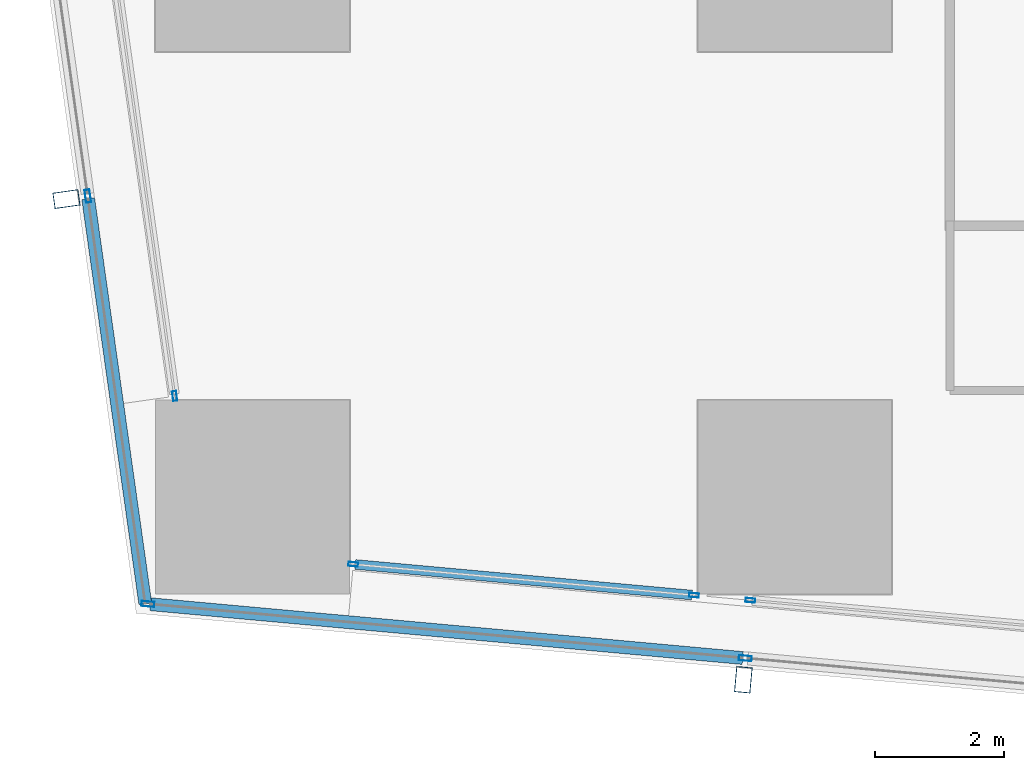
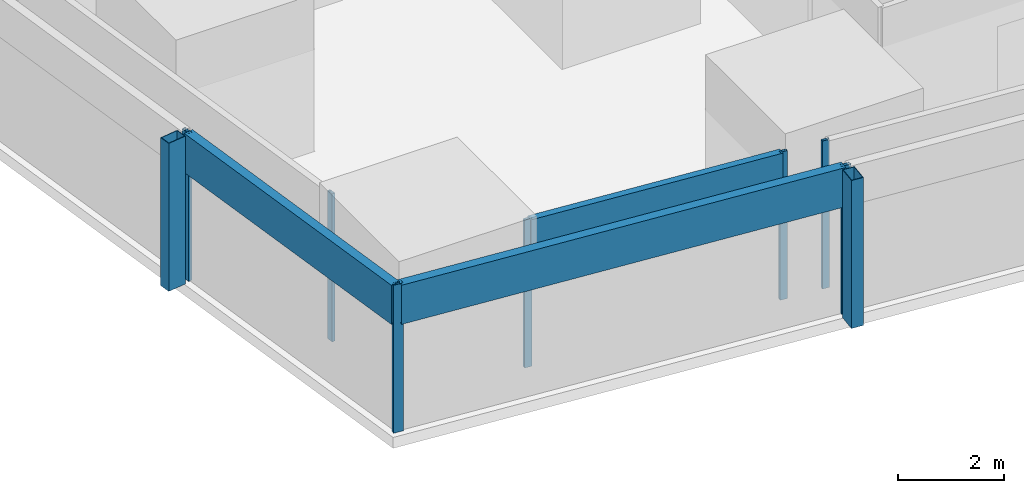
# One storey, part 2 of 38: 12 members, 5 elements without a shape of their own.
"""IFC4 building model written with IfcOpenShell, lengths in metres."""

from ifc_helpers import new_model, si_unit, direction, frame, origin, origin_2d, place, context, subcontext, project, spatial, hollow_rectangle, extrude, material, material_profile, profile_set, type_object, element, aggregate, save


model = new_model("IFC4")

# Units and contexts
model_context = context("Model", 3, precision=1e-05, world=origin(), true_north=direction((0.0, 1.0)))
body_context = subcontext(model_context, "Body", "Model", "MODEL_VIEW")
ifc_project = project(units=[si_unit("LENGTHUNIT", "METRE"), si_unit("AREAUNIT", "SQUARE_METRE"), si_unit("VOLUMEUNIT", "CUBIC_METRE"), si_unit("PLANEANGLEUNIT", "RADIAN"), si_unit("MASSUNIT", "GRAM", prefix="KILO")], contexts=[model_context])

# Site, building, storey
site_placement = place(None, origin())
site = spatial("IfcSite", under=ifc_project, at=site_placement, CompositionType="ELEMENT")
building_placement = place(site_placement, origin())
building = spatial("IfcBuilding", under=site, at=building_placement, Name="Rekha Terrace Tower", CompositionType="ELEMENT")
storey_placement = place(building_placement, frame((0.0, 0.0, 159.050048828125)))
storey = spatial("IfcBuildingStorey", under=building, at=storey_placement, Name="L40", CompositionType="ELEMENT", Elevation=159.050048828125)

# Curtain wall, member
ifc_material_1 = material(Name="Aluminium framing", Category="aluminium")
curtain_wall_type_1 = type_object("IfcCurtainWallType", Name="CW2 double skin outer glazing", PredefinedType="USERDEFINED", material=ifc_material_1)
curtain_wall_1_placement = place(storey_placement, origin())
curtain_wall_1 = element("IfcCurtainWall", 1, at=curtain_wall_1_placement, inside=storey, type_object=curtain_wall_type_1, Name="CW2 double skin outer glazing", ObjectType="DOUBLE SKIN OUTER GLAZING", PredefinedType="USERDEFINED")
ifc_material_2 = material(Name="Steel S355 with fluorocarbon finish", Category="steel")
ifc_material_profile_1 = material_profile(ifc_material_2, hollow_rectangle(XDim=0.25, YDim=0.39990234375, WallThickness=0.012451171875, at=origin_2d()), Name="RHS400x250x12.5")
ifc_profile_set_1 = profile_set([ifc_material_profile_1], Name="Steel S355 with fluorocarbon finish")
member_type_1 = type_object("IfcMemberType", Name="BL1 facade blade RHS 400 x 250", PredefinedType="USERDEFINED", material=ifc_profile_set_1)
member_1_placement = place(storey_placement, frame((16.002197265625, 13.970458984375, 0.0), z_axis=(0.0, 0.0, 1.0), x_axis=(0.995901938317, -0.090439644273, 0.0)))
member_1 = element("IfcMember", 2, at=member_1_placement, type_object=member_type_1, Name="Facade blade", ObjectType="FACADE BLADE", PredefinedType="USERDEFINED", context=body_context, shape_type="SweptSolid", body=[
    extrude(hollow_rectangle(XDim=0.25, YDim=0.39990234375, WallThickness=0.012451171875, at=origin_2d()), origin(), (0.0, 0.0, 1.0), 3.39990234375),
])

curtain_wall_2_placement = place(storey_placement, origin())
curtain_wall_2 = element("IfcCurtainWall", 3, at=curtain_wall_2_placement, inside=storey, type_object=curtain_wall_type_1, Name="CW2 double skin outer glazing", ObjectType="DOUBLE SKIN OUTER GLAZING", PredefinedType="USERDEFINED")
member_2_placement = place(storey_placement, frame((5.51904296875, 21.41455078125, 0.0), z_axis=(0.0, 0.0, 1.0), x_axis=(0.139596532461, -0.990208467003, 0.0)))
member_2 = element("IfcMember", 4, at=member_2_placement, type_object=member_type_1, Name="Facade blade", ObjectType="FACADE BLADE", PredefinedType="USERDEFINED", context=body_context, shape_type="SweptSolid", body=[
    extrude(hollow_rectangle(XDim=0.25, YDim=0.39990234375, WallThickness=0.012451171875, at=origin_2d()), origin(), (0.0, 0.0, 1.0), 3.39990234375),
])

# Curtain wall, members
curtain_wall_type_2 = type_object("IfcCurtainWallType", Name="CW1 double skin inner glazing", PredefinedType="USERDEFINED", material=ifc_material_1)
curtain_wall_3_placement = place(storey_placement, origin())
curtain_wall_3 = element("IfcCurtainWall", 5, at=curtain_wall_3_placement, inside=storey, type_object=curtain_wall_type_2, Name="CW1 double skin inner glazing", ObjectType="DOUBLE SKIN INNER GLAZING", PredefinedType="USERDEFINED")
ifc_material_3 = material(Name="Aluminium mullion section", Category="aluminium")
ifc_material_profile_2 = material_profile(ifc_material_3, hollow_rectangle(XDim=0.06494140625, YDim=0.14990234375, WallThickness=0.00390625, at=origin_2d()), Name="AL RHS 65x150")
ifc_profile_set_2 = profile_set([ifc_material_profile_2], Name="Aluminium mullion section")
member_type_2 = type_object("IfcMemberType", Name="CW1 mullion RHS 65 x 150", PredefinedType="MULLION", material=ifc_profile_set_2)
member_3_placement = place(storey_placement, frame((9.9609375, 15.759033203125, 0.0), z_axis=(0.0, 0.0, 1.0), x_axis=(0.090439811468, 0.995901923134, 0.0)))
member_3 = element("IfcMember", 6, at=member_3_placement, type_object=member_type_2, Name="CW1 mullion 1", PredefinedType="MULLION", context=body_context, shape_type="SweptSolid", body=[
    extrude(hollow_rectangle(XDim=0.06494140625, YDim=0.14990234375, WallThickness=0.00390625, at=origin_2d()), origin(), (0.0, 0.0, 1.0), 3.39990234375),
])
member_4_placement = place(storey_placement, frame((15.239013671875, 15.27978515625, 0.0), z_axis=(0.0, 0.0, 1.0), x_axis=(0.090439811468, 0.995901923134, 0.0)))
member_4 = element("IfcMember", 7, at=member_4_placement, type_object=member_type_2, Name="CW1 mullion 2", PredefinedType="MULLION", context=body_context, shape_type="SweptSolid", body=[
    extrude(hollow_rectangle(XDim=0.06494140625, YDim=0.14990234375, WallThickness=0.00390625, at=origin_2d()), origin(), (0.0, 0.0, 1.0), 3.39990234375),
])

# Curtain wall, member
curtain_wall_4_placement = place(storey_placement, origin())
curtain_wall_4 = element("IfcCurtainWall", 8, at=curtain_wall_4_placement, inside=storey, type_object=curtain_wall_type_2, Name="CW1 double skin inner glazing", ObjectType="DOUBLE SKIN INNER GLAZING", PredefinedType="USERDEFINED")
member_5_placement = place(storey_placement, frame((16.111083984375, 15.20068359375, 0.0), z_axis=(0.0, 0.0, 1.0), x_axis=(0.090439811364, 0.995901923143, 0.0)))
member_5 = element("IfcMember", 9, at=member_5_placement, type_object=member_type_2, Name="CW1 mullion 1", PredefinedType="MULLION", context=body_context, shape_type="SweptSolid", body=[
    extrude(hollow_rectangle(XDim=0.06494140625, YDim=0.14990234375, WallThickness=0.00390625, at=origin_2d()), origin(), (0.0, 0.0, 1.0), 3.39990234375),
])
aggregate(curtain_wall_4, [member_5])

curtain_wall_5_placement = place(storey_placement, origin())
curtain_wall_5 = element("IfcCurtainWall", 10, at=curtain_wall_5_placement, inside=storey, type_object=curtain_wall_type_2, Name="CW1 double skin inner glazing", ObjectType="DOUBLE SKIN INNER GLAZING", PredefinedType="USERDEFINED")
member_6_placement = place(storey_placement, frame((7.196044921875, 18.365234375, 0.0), z_axis=(0.0, 0.0, 1.0), x_axis=(0.990208394317, 0.139597048047, 0.0)))
member_6 = element("IfcMember", 11, at=member_6_placement, type_object=member_type_2, Name="CW1 mullion 2", PredefinedType="MULLION", context=body_context, shape_type="SweptSolid", body=[
    extrude(hollow_rectangle(XDim=0.06494140625, YDim=0.14990234375, WallThickness=0.00390625, at=origin_2d()), origin(), (0.0, 0.0, 1.0), 3.39990234375),
])
aggregate(curtain_wall_5, [member_6])

# Member
ifc_material_4 = material(Name="Insulated aluminium spandrel box", Category="aluminium")
ifc_material_profile_3 = material_profile(ifc_material_4, hollow_rectangle(XDim=0.14990234375, YDim=0.89990234375, WallThickness=0.0029296875, at=origin_2d()), Name="AL SPANDREL BOX 150x900")
ifc_profile_set_3 = profile_set([ifc_material_profile_3], Name="Insulated aluminium spandrel box")
member_type_3 = type_object("IfcMemberType", Name="CW1 spandrel transom 150 x 900", PredefinedType="USERDEFINED", material=ifc_profile_set_3)
member_7_placement = place(storey_placement, frame((9.9931640625, 15.756103515625, 2.949951171875), z_axis=(0.9959031392, -0.090426419429, 0.0), x_axis=(0.090426419429, 0.9959031392, 0.0)))
member_7 = element("IfcMember", 12, at=member_7_placement, type_object=member_type_3, Name="CW1 spandrel transom 1", ObjectType="TRANSOM", PredefinedType="USERDEFINED", context=body_context, shape_type="SweptSolid", body=[
    extrude(hollow_rectangle(XDim=0.14990234375, YDim=0.89990234375, WallThickness=0.0029296875, at=origin_2d()), origin(), (0.0, 0.0, 1.0), 5.235107421875),
])

aggregate(curtain_wall_3, [member_3, member_4, member_7])

ifc_material_profile_4 = material_profile(ifc_material_3, hollow_rectangle(XDim=0.080078125, YDim=0.199951171875, WallThickness=0.00390625, at=origin_2d()), Name="AL RHS 80x200")
ifc_profile_set_4 = profile_set([ifc_material_profile_4], Name="Aluminium mullion section")
member_type_4 = type_object("IfcMemberType", Name="CW2 mullion RHS 80 x 200", PredefinedType="MULLION", material=ifc_profile_set_4)
member_8_placement = place(storey_placement, frame((6.780517578125, 15.144287109375, 0.0), z_axis=(0.0, 0.0, 1.0), x_axis=(0.090439811433, 0.995901923137, 0.0)))
member_8 = element("IfcMember", 13, at=member_8_placement, type_object=member_type_4, Name="CW2 mullion 1", PredefinedType="MULLION", context=body_context, shape_type="SweptSolid", body=[
    extrude(hollow_rectangle(XDim=0.080078125, YDim=0.199951171875, WallThickness=0.00390625, at=origin_2d()), origin(), (0.0, 0.0, 1.0), 3.39990234375),
])

member_9_placement = place(storey_placement, frame((16.032470703125, 14.30419921875, 0.0), z_axis=(0.0, 0.0, 1.0), x_axis=(0.090439811433, 0.995901923137, 0.0)))
member_9 = element("IfcMember", 14, at=member_9_placement, type_object=member_type_4, Name="CW2 mullion 2", PredefinedType="MULLION", context=body_context, shape_type="SweptSolid", body=[
    extrude(hollow_rectangle(XDim=0.080078125, YDim=0.199951171875, WallThickness=0.00390625, at=origin_2d()), origin(), (0.0, 0.0, 1.0), 3.39990234375),
])

member_10_placement = place(storey_placement, frame((5.8505859375, 21.46142578125, 0.0), z_axis=(0.0, 0.0, 1.0), x_axis=(0.990208394312, 0.139597048082, 0.0)))
member_10 = element("IfcMember", 15, at=member_10_placement, type_object=member_type_4, Name="CW2 mullion 2", PredefinedType="MULLION", context=body_context, shape_type="SweptSolid", body=[
    extrude(hollow_rectangle(XDim=0.080078125, YDim=0.199951171875, WallThickness=0.00390625, at=origin_2d()), origin(), (0.0, 0.0, 1.0), 3.39990234375),
])

ifc_material_profile_5 = material_profile(ifc_material_4, hollow_rectangle(XDim=0.199951171875, YDim=0.89990234375, WallThickness=0.0029296875, at=origin_2d()), Name="AL SPANDREL BOX 200x900")
ifc_profile_set_5 = profile_set([ifc_material_profile_5], Name="Insulated aluminium spandrel box")
member_type_5 = type_object("IfcMemberType", Name="CW2 spandrel transom 200 x 900", PredefinedType="USERDEFINED", material=ifc_profile_set_5)
member_11_placement = place(storey_placement, frame((6.8203125, 15.140625, 2.949951171875), z_axis=(0.995901458883, -0.090444923548, 0.0), x_axis=(0.090444923548, 0.995901458883, 0.0)))
member_11 = element("IfcMember", 16, at=member_11_placement, type_object=member_type_5, Name="CW2 spandrel transom 1", ObjectType="TRANSOM", PredefinedType="USERDEFINED", context=body_context, shape_type="SweptSolid", body=[
    extrude(hollow_rectangle(XDim=0.199951171875, YDim=0.89990234375, WallThickness=0.0029296875, at=origin_2d()), origin(), (0.0, 0.0, 1.0), 9.210205078125),
])

aggregate(curtain_wall_1, [member_8, member_9, member_11, member_1])

member_12_placement = place(storey_placement, frame((5.856201171875, 21.421875, 2.949951171875), z_axis=(0.139603155616, -0.990207533269, 0.0), x_axis=(0.990207533269, 0.139603155616, 0.0)))
member_12 = element("IfcMember", 17, at=member_12_placement, type_object=member_type_5, Name="CW2 spandrel transom 2", ObjectType="TRANSOM", PredefinedType="USERDEFINED", context=body_context, shape_type="SweptSolid", body=[
    extrude(hollow_rectangle(XDim=0.199951171875, YDim=0.89990234375, WallThickness=0.0029296875, at=origin_2d()), origin(), (0.0, 0.0, 1.0), 6.3359375),
])

aggregate(curtain_wall_2, [member_10, member_12, member_2])

save(model, "model.ifc")
